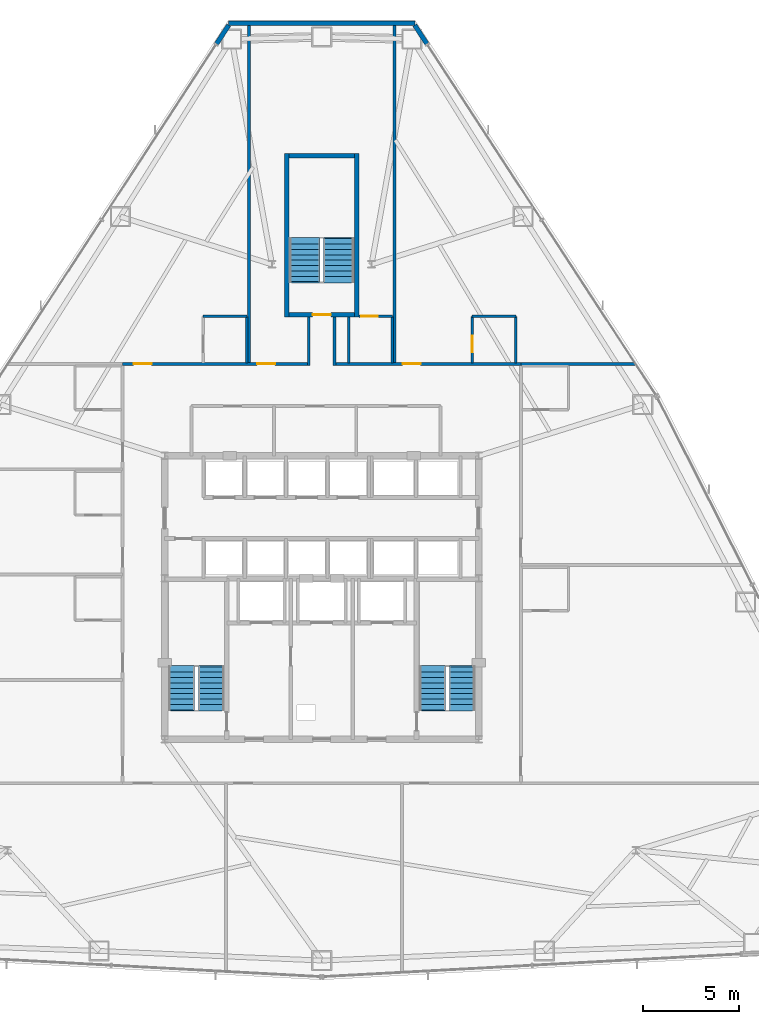
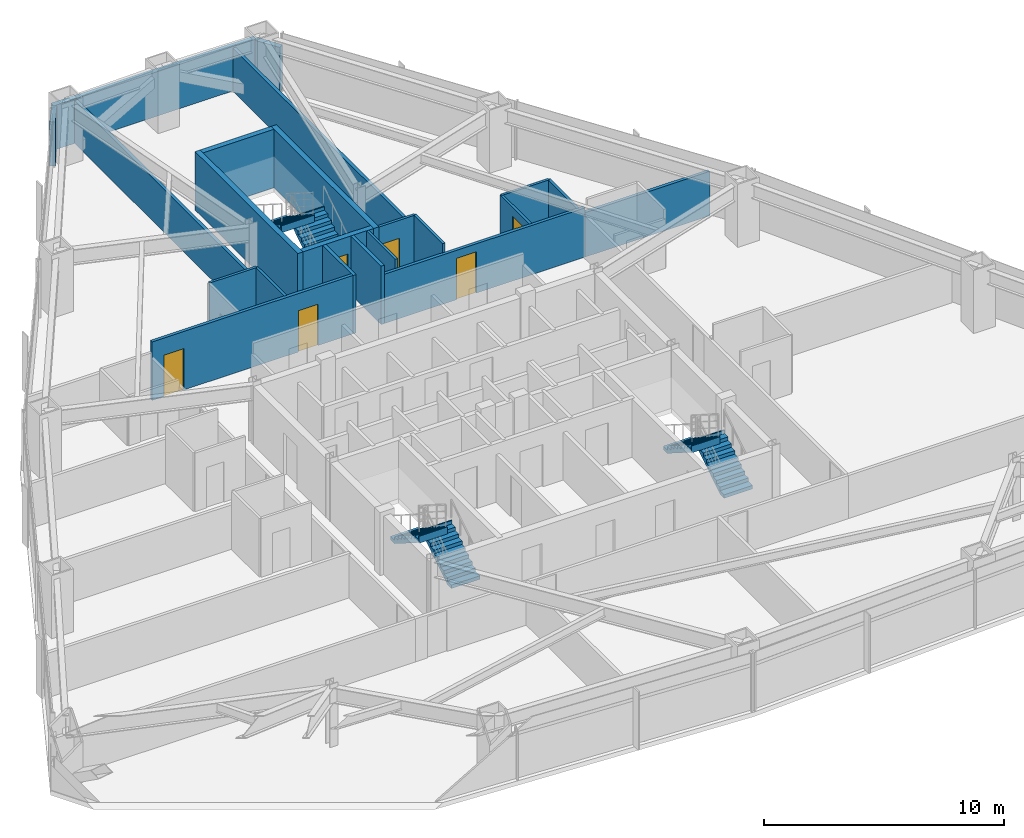
# One storey, part 11 of 12: 22 walls, 6 doors, 6 stair flights, 6 openings, 3 elements without a shape of their own.
"""IFC4 building model written with IfcOpenShell, lengths in metres."""

from ifc_helpers import new_model, si_unit, direction, frame, frame_2d, origin, place, context, subcontext, project, spatial, polyline, rectangle, outline, extrude, material, layer, layer_set, type_object, element, fill, aggregate, save


model = new_model("IFC4")

# Units and contexts
model_context = context("Model", 3, precision=1e-05, world=origin(), true_north=direction((0.0, 1.0)))
body_context = subcontext(model_context, "Body", "Model", "MODEL_VIEW")
ifc_project = project(units=[si_unit("LENGTHUNIT", "METRE"), si_unit("AREAUNIT", "SQUARE_METRE"), si_unit("VOLUMEUNIT", "CUBIC_METRE"), si_unit("PLANEANGLEUNIT", "RADIAN"), si_unit("MASSUNIT", "GRAM", prefix="KILO")], contexts=[model_context])

# Site, building, storey
site_placement = place(None, origin())
site = spatial("IfcSite", under=ifc_project, at=site_placement, CompositionType="ELEMENT")
building_placement = place(site_placement, origin())
building = spatial("IfcBuilding", under=site, at=building_placement, Name="Varakhsha Concourse Tower", CompositionType="ELEMENT")
storey_placement = place(building_placement, frame((0.0, 0.0, 79.800048828125)))
storey = spatial("IfcBuildingStorey", under=building, at=storey_placement, Name="L22", CompositionType="ELEMENT", Elevation=79.800048828125)

# Walls
ifc_material_1 = material(Name="Concrete fc 45 MPa", Category="concrete")
ifc_layer_1 = layer(ifc_material_1, 0.239990234375, Name="WL-EXT-CRN-240")
ifc_layer_set_1 = layer_set([ifc_layer_1], Name="Concrete fc 45 MPa")
wall_type_1 = type_object("IfcWallType", Name="WL-EXT-CRN-240", PredefinedType="SHEAR", material=ifc_layer_set_1)
wall_1_placement = place(storey_placement, frame((35.12841796875, 53.802490234375, 0.0), z_axis=(0.0, 0.0, 1.0), x_axis=(1.0, 0.0, 0.0)))
element("IfcWall", 1, at=wall_1_placement, inside=storey, type_object=wall_type_1, Name="L22 Chamfer Wind-Corner Insulated Wall F1", PredefinedType="SHEAR", context=body_context, shape_type="SweptSolid", body=[
    extrude(rectangle(XDim=9.7431640625, YDim=0.239990234375, at=frame_2d((4.87158203125, 0.0))), origin(), (0.0, 0.0, 1.0), 2.2529296875),
])
for number, where, z_axis, x_axis, name in (
    (2, (35.142333984375, 53.690673828125, 0.0), (0.0, 0.0, 1.0), (-0.546287000619, -0.837598061695, 0.0), "L22 Wind-Corner Shoulder Wall F2"),
    (3, (45.49267578125, 52.717041015625, 0.0), (0.0, 0.0, 1.0), (-0.546287000619, 0.837598061695, 0.0), "L22 Wind-Corner Shoulder Wall F9"),
):
    element("IfcWall", number, at=place(storey_placement, frame(where, z_axis=z_axis, x_axis=x_axis)), inside=storey, type_object=wall_type_1, Name=name, PredefinedType="SHEAR", context=body_context, shape_type="SweptSolid", body=[
        extrude(rectangle(XDim=1.162353515625, YDim=0.239990234375, at=frame_2d((0.5810546875, 0.0))), origin(), (0.0, 0.0, 1.0), 2.2529296875),
    ])
ifc_material_2 = material(Name="Acoustic Gypsum Board Partition Assembly", Category="gypsum")
ifc_layer_2 = layer(ifc_material_2, 0.1201171875, Name="WL-PART-120")
ifc_layer_set_2 = layer_set([ifc_layer_2], Name="Acoustic Gypsum Board Partition Assembly")
wall_type_2 = type_object("IfcWallType", Name="WL-PART-120", PredefinedType="PARTITIONING", material=ifc_layer_set_2)
wall_2_placement = place(storey_placement, frame((36.090087890625, 36.06005859375, 0.0), z_axis=(0.0, 0.0, 1.0), x_axis=(0.0, 1.0, 0.0)))
element("IfcWall", 4, at=wall_2_placement, inside=storey, type_object=wall_type_2, Name="L22 Wall ENSW-E-L22-H10", PredefinedType="PARTITIONING", context=body_context, shape_type="SweptSolid", body=[
    extrude(rectangle(XDim=2.429931640625, YDim=0.1201171875, at=frame_2d((1.21484375, 0.0))), origin(), (0.0, 0.0, 1.0), 2.969970703125),
])
wall_3_placement = place(storey_placement, frame((33.81005859375, 38.489990234375, 0.0), z_axis=(0.0, 0.0, 1.0), x_axis=(1.0, 0.0, 0.0)))
element("IfcWall", 5, at=wall_3_placement, inside=storey, type_object=wall_type_2, Name="L22 Wall ENSW-N-L22-H10", PredefinedType="PARTITIONING", context=body_context, shape_type="SweptSolid", body=[
    extrude(rectangle(XDim=2.280029296875, YDim=0.1201171875, at=frame_2d((1.14013671875, 0.0))), origin(), (0.0, 0.0, 1.0), 2.969970703125),
])
wall_4_placement = place(storey_placement, frame((41.409912109375, 36.06005859375, 0.0), z_axis=(0.0, 0.0, 1.0), x_axis=(0.0, 1.0, 0.0)))
element("IfcWall", 6, at=wall_4_placement, inside=storey, type_object=wall_type_2, Name="L22 Wall ENSW-W-L22-H11", PredefinedType="PARTITIONING", context=body_context, shape_type="SweptSolid", body=[
    extrude(rectangle(XDim=2.389892578125, YDim=0.1201171875, at=frame_2d((1.19482421875, 0.0))), origin(), (0.0, 0.0, 1.0), 2.969970703125),
])
wall_5_placement = place(storey_placement, frame((43.68994140625, 36.06005859375, 0.0), z_axis=(0.0, 0.0, 1.0), x_axis=(0.0, 1.0, 0.0)))
element("IfcWall", 7, at=wall_5_placement, inside=storey, type_object=wall_type_2, Name="L22 Wall ENSW-E-L22-H11", PredefinedType="PARTITIONING", context=body_context, shape_type="SweptSolid", body=[
    extrude(rectangle(XDim=2.429931640625, YDim=0.1201171875, at=frame_2d((1.21484375, 0.0))), origin(), (0.0, 0.0, 1.0), 2.969970703125),
])

# Wall, opening, door
wall_6_placement = place(storey_placement, frame((41.949951171875, 38.489990234375, 0.0), z_axis=(0.0, 0.0, 1.0), x_axis=(1.0, 0.0, 0.0)))
wall_6 = element("IfcWall", 8, at=wall_6_placement, inside=storey, type_object=wall_type_2, Name="L22 Wall ENSW-N-L22-H11", PredefinedType="PARTITIONING", context=body_context, shape_type="SweptSolid", body=[
    extrude(rectangle(XDim=1.739990234375, YDim=0.1201171875, at=frame_2d((0.8701171875, 0.0))), origin(), (0.0, 0.0, 1.0), 2.969970703125),
])
opening_1_placement = place(wall_6_placement, frame((0.1201171875, 0.0, 0.0)))
opening_1 = element("IfcOpeningElement", 9, at=opening_1_placement, cuts=wall_6, Name="Opening DI-01", PredefinedType="OPENING", context=body_context, shape_type="SweptSolid", body=[
    extrude(rectangle(XDim=0.85009765625, YDim=2.050048828125, at=frame_2d((0.425048828125, 1.02490234375))), frame((0.0, 0.070068359375, 0.0), z_axis=(0.0, -1.0, 0.0), x_axis=(1.0, 0.0, 0.0)), (0.0, 0.0, 1.0), 0.14013671875),
])
ifc_material_3 = material(Name="Architectural Walnut Acoustic Timber Door", Category="wood")
door_type_1 = type_object("IfcDoorType", Name="DR-INT-850", OperationType="NOTDEFINED", PredefinedType="DOOR", material=ifc_material_3)
door_1_placement = place(opening_1_placement, origin())
door_1 = element("IfcDoor", 10, at=door_1_placement, inside=storey, type_object=door_type_1, Name="L22 En-suite Bathroom Door L22-H11", OperationType="SINGLE_SWING_RIGHT", OverallHeight=2.050048828125, OverallWidth=0.85009765625, PredefinedType="DOOR", context=body_context, shape_type="SweptSolid", body=[
    extrude(rectangle(XDim=0.85009765625, YDim=2.050048828125, at=frame_2d((0.425048828125, 1.02490234375))), frame((0.0, 0.02490234375, 0.0), z_axis=(0.0, -1.0, 0.0), x_axis=(1.0, 0.0, 0.0)), (0.0, 0.0, 1.0), 0.050048828125),
])
fill(opening_1, door_1)

wall_7_placement = place(storey_placement, frame((47.860107421875, 36.06005859375, 0.0), z_axis=(0.0, 0.0, 1.0), x_axis=(0.0, 1.0, 0.0)))
wall_7 = element("IfcWall", 11, at=wall_7_placement, inside=storey, type_object=wall_type_2, Name="L22 Wall ENSW-W-L22-H12", PredefinedType="PARTITIONING", context=body_context, shape_type="SweptSolid", body=[
    extrude(rectangle(XDim=2.429931640625, YDim=0.1201171875, at=frame_2d((1.21484375, 0.0))), origin(), (0.0, 0.0, 1.0), 2.5029296875),
])
opening_2_placement = place(wall_7_placement, frame((0.550048828125, 0.0, 0.0)))
opening_2 = element("IfcOpeningElement", 12, at=opening_2_placement, cuts=wall_7, Name="Opening DI-01", PredefinedType="OPENING", context=body_context, shape_type="SweptSolid", body=[
    extrude(rectangle(XDim=0.85009765625, YDim=2.050048828125, at=frame_2d((0.425048828125, 1.02490234375))), frame((0.0, 0.070068359375, 0.0), z_axis=(0.0, -1.0, 0.0), x_axis=(1.0, 0.0, 0.0)), (0.0, 0.0, 1.0), 0.14013671875),
])
door_2_placement = place(opening_2_placement, origin())
door_2 = element("IfcDoor", 13, at=door_2_placement, inside=storey, type_object=door_type_1, Name="L22 En-suite Bathroom Door L22-H12", OperationType="SINGLE_SWING_RIGHT", OverallHeight=2.050048828125, OverallWidth=0.85009765625, PredefinedType="DOOR", context=body_context, shape_type="SweptSolid", body=[
    extrude(rectangle(XDim=0.85009765625, YDim=2.050048828125, at=frame_2d((0.425048828125, 1.02490234375))), frame((0.0, 0.02490234375, 0.0), z_axis=(0.0, -1.0, 0.0), x_axis=(1.0, 0.0, 0.0)), (0.0, 0.0, 1.0), 0.050048828125),
])
fill(opening_2, door_2)

# Walls
wall_8_placement = place(storey_placement, frame((50.139892578125, 36.06005859375, 0.0), z_axis=(0.0, 0.0, 1.0), x_axis=(0.0, 1.0, 0.0)))
element("IfcWall", 14, at=wall_8_placement, inside=storey, type_object=wall_type_2, Name="L22 Wall ENSW-E-L22-H12", PredefinedType="PARTITIONING", context=body_context, shape_type="SweptSolid", body=[
    extrude(rectangle(XDim=2.429931640625, YDim=0.1201171875, at=frame_2d((1.21484375, 0.0))), origin(), (0.0, 0.0, 1.0), 2.5029296875),
])
wall_9_placement = place(storey_placement, frame((47.860107421875, 38.489990234375, 0.0), z_axis=(0.0, 0.0, 1.0), x_axis=(1.0, 0.0, 0.0)))
element("IfcWall", 15, at=wall_9_placement, inside=storey, type_object=wall_type_2, Name="L22 Wall ENSW-N-L22-H12", PredefinedType="PARTITIONING", context=body_context, shape_type="SweptSolid", body=[
    extrude(rectangle(XDim=2.27978515625, YDim=0.1201171875, at=frame_2d((1.139892578125, 0.0))), origin(), (0.0, 0.0, 1.0), 2.5029296875),
])

# Wall, openings, doors
ifc_material_4 = material(Name="Fire-Rated Type X Gypsum Partition Assembly", Category="gypsum")
ifc_layer_3 = layer(ifc_material_4, 0.14990234375, Name="WL-PART-150")
ifc_layer_set_3 = layer_set([ifc_layer_3], Name="Fire-Rated Type X Gypsum Partition Assembly")
wall_type_3 = type_object("IfcWallType", Name="WL-PART-150", PredefinedType="PARTITIONING", material=ifc_layer_set_3)
wall_10_placement = place(storey_placement, frame((29.60009765625, 36.0, 0.0), z_axis=(0.0, 0.0, 1.0), x_axis=(1.0, 0.0, 0.0)))
wall_10 = element("IfcWall", 16, at=wall_10_placement, inside=storey, type_object=wall_type_3, Name="L22 Wall CRW-N-L22", PredefinedType="PARTITIONING", context=body_context, shape_type="SweptSolid", body=[
    extrude(rectangle(XDim=9.64990234375, YDim=0.14990234375, at=frame_2d((4.824951171875, 0.0))), origin(), (0.0, 0.0, 1.0), 2.969970703125),
])
opening_3_placement = place(wall_10_placement, frame((0.570068359375, 0.0, 0.0)))
opening_3 = element("IfcOpeningElement", 17, at=opening_3_placement, cuts=wall_10, Name="Opening DF-05", PredefinedType="OPENING", context=body_context, shape_type="SweptSolid", body=[
    extrude(rectangle(XDim=0.949951171875, YDim=2.10009765625, at=frame_2d((0.47509765625, 1.050048828125))), frame((0.0, 0.0849609375, 0.0), z_axis=(0.0, -1.0, 0.0), x_axis=(1.0, 0.0, 0.0)), (0.0, 0.0, 1.0), 0.169921875),
])
opening_4_placement = place(wall_10_placement, frame((7.02001953125, 0.0, 0.0)))
opening_4 = element("IfcOpeningElement", 18, at=opening_4_placement, cuts=wall_10, Name="Opening DF-05", PredefinedType="OPENING", context=body_context, shape_type="SweptSolid", body=[
    extrude(rectangle(XDim=0.949951171875, YDim=2.10009765625, at=frame_2d((0.47509765625, 1.050048828125))), frame((0.0, 0.0849609375, 0.0), z_axis=(0.0, -1.0, 0.0), x_axis=(1.0, 0.0, 0.0)), (0.0, 0.0, 1.0), 0.169921875),
])
ifc_material_5 = material(Name="Hollow Galvanised Steel Fire Door Assembly", Category="steel")
door_type_2 = type_object("IfcDoorType", Name="DR-FD60-950", OperationType="NOTDEFINED", PredefinedType="DOOR", material=ifc_material_5)
door_3_placement = place(opening_3_placement, origin())
door_3 = element("IfcDoor", 19, at=door_3_placement, inside=storey, type_object=door_type_2, Name="L22 Hotel Corner Suite L22-H10 Entry Door", OperationType="SINGLE_SWING_RIGHT", OverallHeight=2.10009765625, OverallWidth=0.949951171875, PredefinedType="DOOR", context=body_context, shape_type="SweptSolid", body=[
    extrude(rectangle(XDim=0.949951171875, YDim=2.10009765625, at=frame_2d((0.47509765625, 1.050048828125))), frame((0.0, 0.02490234375, 0.0), z_axis=(0.0, -1.0, 0.0), x_axis=(1.0, 0.0, 0.0)), (0.0, 0.0, 1.0), 0.050048828125),
])
fill(opening_3, door_3)
door_4_placement = place(opening_4_placement, origin())
door_4 = element("IfcDoor", 20, at=door_4_placement, inside=storey, type_object=door_type_2, Name="L22 Hotel Corner Suite L22-H11 Entry Door", OperationType="SINGLE_SWING_LEFT", OverallHeight=2.10009765625, OverallWidth=0.949951171875, PredefinedType="DOOR", context=body_context, shape_type="SweptSolid", body=[
    extrude(rectangle(XDim=0.949951171875, YDim=2.10009765625, at=frame_2d((0.47509765625, 1.050048828125))), frame((0.0, 0.02490234375, 0.0), z_axis=(0.0, -1.0, 0.0), x_axis=(1.0, 0.0, 0.0)), (0.0, 0.0, 1.0), 0.050048828125),
])
fill(opening_4, door_4)

# Wall, opening, door
wall_11_placement = place(storey_placement, frame((40.75, 36.0, 0.0), z_axis=(0.0, 0.0, 1.0), x_axis=(1.0, 0.0, 0.0)))
wall_11 = element("IfcWall", 21, at=wall_11_placement, inside=storey, type_object=wall_type_3, Name="L22 Wall CRW-N-L22-B", PredefinedType="PARTITIONING", context=body_context, shape_type="SweptSolid", body=[
    extrude(rectangle(XDim=9.64990234375, YDim=0.14990234375, at=frame_2d((4.824951171875, 0.0))), origin(), (0.0, 0.0, 1.0), 2.5029296875),
])
opening_5_placement = place(wall_11_placement, frame((3.469970703125, 0.0, 0.0)))
opening_5 = element("IfcOpeningElement", 22, at=opening_5_placement, cuts=wall_11, Name="Opening DF-05", PredefinedType="OPENING", context=body_context, shape_type="SweptSolid", body=[
    extrude(rectangle(XDim=0.949951171875, YDim=2.10009765625, at=frame_2d((0.47509765625, 1.050048828125))), frame((0.0, 0.0849609375, 0.0), z_axis=(0.0, -1.0, 0.0), x_axis=(1.0, 0.0, 0.0)), (0.0, 0.0, 1.0), 0.169921875),
])
door_5_placement = place(opening_5_placement, origin())
door_5 = element("IfcDoor", 23, at=door_5_placement, inside=storey, type_object=door_type_2, Name="L22 Hotel Corner Suite L22-H12 Entry Door", OperationType="SINGLE_SWING_RIGHT", OverallHeight=2.10009765625, OverallWidth=0.949951171875, PredefinedType="DOOR", context=body_context, shape_type="SweptSolid", body=[
    extrude(rectangle(XDim=0.949951171875, YDim=2.10009765625, at=frame_2d((0.47509765625, 1.050048828125))), frame((0.0, 0.02490234375, 0.0), z_axis=(0.0, -1.0, 0.0), x_axis=(1.0, 0.0, 0.0)), (0.0, 0.0, 1.0), 0.050048828125),
])
fill(opening_5, door_5)

# Walls
wall_12_placement = place(storey_placement, frame((50.39990234375, 36.0, 0.0), z_axis=(0.0, 0.0, 1.0), x_axis=(1.0, 0.0, 0.0)))
element("IfcWall", 24, at=wall_12_placement, inside=storey, type_object=wall_type_3, Name="L22 Wall HDIV-EBN-L22", PredefinedType="PARTITIONING", context=body_context, shape_type="SweptSolid", body=[
    extrude(rectangle(XDim=5.98876953125, YDim=0.14990234375, at=frame_2d((2.994384765625, 0.0))), origin(), (0.0, 0.0, 1.0), 2.258056640625),
])
for number, where, z_axis, x_axis, name in (
    (25, (36.199951171875, 36.0, 0.0), (0.0, 0.0, 1.0), (0.0, 1.0, 0.0), "L22 Wall HDIV-N1-L22"),
    (26, (43.800048828125, 36.0, 0.0), (0.0, 0.0, 1.0), (0.0, 1.0, 0.0), "L22 Wall HDIV-N2-L22"),
):
    element("IfcWall", number, at=place(storey_placement, frame(where, z_axis=z_axis, x_axis=x_axis)), inside=storey, type_object=wall_type_3, Name=name, PredefinedType="PARTITIONING", context=body_context, shape_type="SweptSolid", body=[
        extrude(rectangle(XDim=17.79736328125, YDim=0.14990234375, at=frame_2d((8.898681640625, 0.0))), origin(), (0.0, 0.0, 1.0), 2.180908203125),
    ])
for number, where, z_axis, x_axis, name in (
    (27, (39.324951171875, 35.925048828125, 0.0), (0.0, 0.0, 1.0), (0.0, 1.0, 0.0), "L22 Wall STUB-W-L22"),
    (28, (40.675048828125, 35.925048828125, 0.0), (0.0, 0.0, 1.0), (0.0, 1.0, 0.0), "L22 Wall STUB-E-L22"),
):
    element("IfcWall", number, at=place(storey_placement, frame(where, z_axis=z_axis, x_axis=x_axis)), inside=storey, type_object=wall_type_3, Name=name, PredefinedType="PARTITIONING", context=body_context, shape_type="SweptSolid", body=[
        extrude(rectangle(XDim=2.52490234375, YDim=0.14990234375, at=frame_2d((1.262451171875, 0.0))), origin(), (0.0, 0.0, 1.0), 2.969970703125),
    ])
ifc_layer_4 = layer(ifc_material_1, 0.25, Name="WL-STAIR-250")
ifc_layer_set_4 = layer_set([ifc_layer_4], Name="Concrete fc 45 MPa")
wall_type_4 = type_object("IfcWallType", Name="WL-STAIR-250", PredefinedType="SHEAR", material=ifc_layer_set_4)
for number, where, z_axis, x_axis, name in (
    (29, (38.175048828125, 38.449951171875, 0.0), (0.0, 0.0, 1.0), (0.0, 1.0, 0.0), "L22 Wall SWALL-ST5-W-L22"),
    (30, (41.824951171875, 38.449951171875, 0.0), (0.0, 0.0, 1.0), (0.0, 1.0, 0.0), "L22 Wall SWALL-ST5-E-L22"),
):
    element("IfcWall", number, at=place(storey_placement, frame(where, z_axis=z_axis, x_axis=x_axis)), inside=storey, type_object=wall_type_4, Name=name, PredefinedType="SHEAR", context=body_context, shape_type="SweptSolid", body=[
        extrude(rectangle(XDim=8.550048828125, YDim=0.25, at=frame_2d((4.27490234375, 0.0))), origin(), (0.0, 0.0, 1.0), 2.969970703125),
    ])

# Wall, opening, door
wall_13_placement = place(storey_placement, frame((38.300048828125, 38.574951171875, 0.0), z_axis=(0.0, 0.0, 1.0), x_axis=(1.0, 0.0, 0.0)))
wall_13 = element("IfcWall", 31, at=wall_13_placement, inside=storey, type_object=wall_type_4, Name="L22 Wall SWALL-ST5-S-L22", PredefinedType="SHEAR", context=body_context, shape_type="SweptSolid", body=[
    extrude(rectangle(XDim=3.39990234375, YDim=0.25, at=frame_2d((1.699951171875, 0.0))), origin(), (0.0, 0.0, 1.0), 2.969970703125),
])
opening_6_placement = place(wall_13_placement, frame((1.22509765625, 0.0, 0.0)))
opening_6 = element("IfcOpeningElement", 32, at=opening_6_placement, cuts=wall_13, Name="Opening DF-03", PredefinedType="OPENING", context=body_context, shape_type="SweptSolid", body=[
    extrude(rectangle(XDim=0.949951171875, YDim=2.10009765625, at=frame_2d((0.47509765625, 1.050048828125))), frame((0.0, 0.135009765625, 0.0), z_axis=(0.0, -1.0, 0.0), x_axis=(1.0, 0.0, 0.0)), (0.0, 0.0, 1.0), 0.27001953125),
])
door_type_3 = type_object("IfcDoorType", Name="DR-FD90-950", OperationType="NOTDEFINED", PredefinedType="DOOR", material=ifc_material_5)
door_6_placement = place(opening_6_placement, origin())
door_6 = element("IfcDoor", 33, at=door_6_placement, inside=storey, type_object=door_type_3, Name="L22 Stair ST5 Fire Door", OperationType="SINGLE_SWING_RIGHT", OverallHeight=2.10009765625, OverallWidth=0.949951171875, PredefinedType="DOOR", context=body_context, shape_type="SweptSolid", body=[
    extrude(rectangle(XDim=0.949951171875, YDim=2.10009765625, at=frame_2d((0.47509765625, 1.050048828125))), frame((0.0, 0.02490234375, 0.0), z_axis=(0.0, -1.0, 0.0), x_axis=(1.0, 0.0, 0.0)), (0.0, 0.0, 1.0), 0.050048828125),
])
fill(opening_6, door_6)

# Wall
wall_14_placement = place(storey_placement, frame((38.300048828125, 46.875, 0.0), z_axis=(0.0, 0.0, 1.0), x_axis=(1.0, 0.0, 0.0)))
element("IfcWall", 34, at=wall_14_placement, inside=storey, type_object=wall_type_4, Name="L22 Wall SWALL-ST5-N-L22", PredefinedType="SHEAR", context=body_context, shape_type="SweptSolid", body=[
    extrude(rectangle(XDim=3.39990234375, YDim=0.25, at=frame_2d((1.699951171875, 0.0))), origin(), (0.0, 0.0, 1.0), 2.969970703125),
])

# Stair, stair flights
stair_type_1 = type_object("IfcStairType", Name="ST-DOGLEG-1360", PredefinedType="HALF_TURN_STAIR", material=ifc_material_1)
stair_1_placement = place(storey_placement, origin())
stair_1 = element("IfcStair", 35, at=stair_1_placement, inside=storey, type_object=stair_type_1, Name="L22 Protected Exit Stair ST1", PredefinedType="HALF_TURN_STAIR")
stair_flight_type_1 = type_object("IfcStairFlightType", Name="STF-1360-R1778", PredefinedType="STRAIGHT", material=ifc_material_1)
stair_flight_1_placement = place(storey_placement, frame((34.239990234375, 17.93994140625, 0.0), z_axis=(0.0, 0.0, 1.0), x_axis=(0.0, 1.0, 0.0)))
stair_flight_1 = element("IfcStairFlight", 36, at=stair_flight_1_placement, type_object=stair_flight_type_1, Name="ST1 flight 1", NumberOfRisers=9, NumberOfTreads=8, PredefinedType="STRAIGHT", RiserHeight=0.177777778, TreadLength=0.28, context=body_context, shape_type="SweptSolid", body=[
    extrude(outline(polyline([(-0.06005859375, 0.0), (-0.06005859375, 0.177734375), (0.0, 0.177734375), (0.280029296875, 0.177734375), (0.280029296875, 0.35546875), (0.56005859375, 0.35546875), (0.56005859375, 0.533447265625), (0.840087890625, 0.533447265625), (0.840087890625, 0.711181640625), (1.1201171875, 0.711181640625), (1.1201171875, 0.888916015625), (1.39990234375, 0.888916015625), (1.39990234375, 1.066650390625), (1.679931640625, 1.066650390625), (1.679931640625, 1.244384765625), (1.9599609375, 1.244384765625), (1.9599609375, 1.422119140625), (2.239990234375, 1.422119140625), (2.239990234375, 1.60009765625), (2.300048828125, 1.60009765625), (2.300048828125, 1.24462890625), (2.239990234375, 1.24462890625), (0.27978515625, 0.0), (-0.06005859375, 0.0)])), frame((0.0, 0.68017578125, 0.0), z_axis=(0.0, -1.0, 0.0), x_axis=(1.0, 0.0, 0.0)), (0.0, 0.0, 1.0), 1.360107421875),
])
stair_flight_2_placement = place(storey_placement, frame((32.679931640625, 20.179931640625, 1.599853515625), z_axis=(0.0, 0.0, 1.0), x_axis=(0.0, -1.0, 0.0)))
stair_flight_2 = element("IfcStairFlight", 37, at=stair_flight_2_placement, type_object=stair_flight_type_1, Name="ST1 flight 2", NumberOfRisers=9, NumberOfTreads=8, PredefinedType="STRAIGHT", RiserHeight=0.177777778, TreadLength=0.28, context=body_context, shape_type="SweptSolid", body=[
    extrude(outline(polyline([(-0.06005859375, 0.0), (-0.06005859375, 0.177734375), (0.0, 0.177734375), (0.280029296875, 0.177734375), (0.280029296875, 0.35546875), (0.56005859375, 0.35546875), (0.56005859375, 0.533447265625), (0.840087890625, 0.533447265625), (0.840087890625, 0.711181640625), (1.1201171875, 0.711181640625), (1.1201171875, 0.888916015625), (1.39990234375, 0.888916015625), (1.39990234375, 1.066650390625), (1.679931640625, 1.066650390625), (1.679931640625, 1.244384765625), (1.9599609375, 1.244384765625), (1.9599609375, 1.422119140625), (2.239990234375, 1.422119140625), (2.239990234375, 1.60009765625), (2.300048828125, 1.60009765625), (2.300048828125, 1.24462890625), (2.239990234375, 1.24462890625), (0.27978515625, 0.0), (-0.06005859375, 0.0)])), frame((0.0, 0.68017578125, 0.0), z_axis=(0.0, -1.0, 0.0), x_axis=(1.0, 0.0, 0.0)), (0.0, 0.0, 1.0), 1.360107421875),
])
aggregate(stair_1, [stair_flight_1, stair_flight_2])

stair_2_placement = place(storey_placement, origin())
stair_2 = element("IfcStair", 38, at=stair_2_placement, inside=storey, type_object=stair_type_1, Name="L22 Protected Exit Stair ST2", PredefinedType="HALF_TURN_STAIR")
stair_flight_3_placement = place(storey_placement, frame((47.340087890625, 17.93994140625, 0.0), z_axis=(0.0, 0.0, 1.0), x_axis=(0.0, 1.0, 0.0)))
stair_flight_3 = element("IfcStairFlight", 39, at=stair_flight_3_placement, type_object=stair_flight_type_1, Name="ST2 flight 1", NumberOfRisers=9, NumberOfTreads=8, PredefinedType="STRAIGHT", RiserHeight=0.177777778, TreadLength=0.28, context=body_context, shape_type="SweptSolid", body=[
    extrude(outline(polyline([(-0.06005859375, 0.0), (-0.06005859375, 0.177734375), (0.0, 0.177734375), (0.280029296875, 0.177734375), (0.280029296875, 0.35546875), (0.56005859375, 0.35546875), (0.56005859375, 0.533447265625), (0.840087890625, 0.533447265625), (0.840087890625, 0.711181640625), (1.1201171875, 0.711181640625), (1.1201171875, 0.888916015625), (1.39990234375, 0.888916015625), (1.39990234375, 1.066650390625), (1.679931640625, 1.066650390625), (1.679931640625, 1.244384765625), (1.9599609375, 1.244384765625), (1.9599609375, 1.422119140625), (2.239990234375, 1.422119140625), (2.239990234375, 1.60009765625), (2.300048828125, 1.60009765625), (2.300048828125, 1.24462890625), (2.239990234375, 1.24462890625), (0.27978515625, 0.0), (-0.06005859375, 0.0)])), frame((0.0, 0.68017578125, 0.0), z_axis=(0.0, -1.0, 0.0), x_axis=(1.0, 0.0, 0.0)), (0.0, 0.0, 1.0), 1.360107421875),
])
stair_flight_4_placement = place(storey_placement, frame((45.780029296875, 20.179931640625, 1.599853515625), z_axis=(0.0, 0.0, 1.0), x_axis=(0.0, -1.0, 0.0)))
stair_flight_4 = element("IfcStairFlight", 40, at=stair_flight_4_placement, type_object=stair_flight_type_1, Name="ST2 flight 2", NumberOfRisers=9, NumberOfTreads=8, PredefinedType="STRAIGHT", RiserHeight=0.177777778, TreadLength=0.28, context=body_context, shape_type="SweptSolid", body=[
    extrude(outline(polyline([(-0.06005859375, 0.0), (-0.06005859375, 0.177734375), (0.0, 0.177734375), (0.280029296875, 0.177734375), (0.280029296875, 0.35546875), (0.56005859375, 0.35546875), (0.56005859375, 0.533447265625), (0.840087890625, 0.533447265625), (0.840087890625, 0.711181640625), (1.1201171875, 0.711181640625), (1.1201171875, 0.888916015625), (1.39990234375, 0.888916015625), (1.39990234375, 1.066650390625), (1.679931640625, 1.066650390625), (1.679931640625, 1.244384765625), (1.9599609375, 1.244384765625), (1.9599609375, 1.422119140625), (2.239990234375, 1.422119140625), (2.239990234375, 1.60009765625), (2.300048828125, 1.60009765625), (2.300048828125, 1.24462890625), (2.239990234375, 1.24462890625), (0.27978515625, 0.0), (-0.06005859375, 0.0)])), frame((0.0, 0.68017578125, 0.0), z_axis=(0.0, -1.0, 0.0), x_axis=(1.0, 0.0, 0.0)), (0.0, 0.0, 1.0), 1.360107421875),
])
aggregate(stair_2, [stair_flight_3, stair_flight_4])

stair_type_2 = type_object("IfcStairType", Name="ST-DOGLEG-1600", PredefinedType="HALF_TURN_STAIR", material=ifc_material_1)
stair_3_placement = place(storey_placement, origin())
stair_3 = element("IfcStair", 41, at=stair_3_placement, inside=storey, type_object=stair_type_2, Name="L22 Protected Exit Stair ST5", PredefinedType="HALF_TURN_STAIR")
stair_flight_type_2 = type_object("IfcStairFlightType", Name="STF-1600-R1778", PredefinedType="STRAIGHT", material=ifc_material_1)
stair_flight_5_placement = place(storey_placement, frame((40.89990234375, 40.300048828125, 0.0), z_axis=(0.0, 0.0, 1.0), x_axis=(0.0, 1.0, 0.0)))
stair_flight_5 = element("IfcStairFlight", 42, at=stair_flight_5_placement, type_object=stair_flight_type_2, Name="ST5 flight 1", NumberOfRisers=9, NumberOfTreads=8, PredefinedType="STRAIGHT", RiserHeight=0.177777778, TreadLength=0.28, context=body_context, shape_type="SweptSolid", body=[
    extrude(outline(polyline([(-0.06005859375, 0.0), (-0.06005859375, 0.177734375), (0.0, 0.177734375), (0.280029296875, 0.177734375), (0.280029296875, 0.35546875), (0.56005859375, 0.35546875), (0.56005859375, 0.533447265625), (0.840087890625, 0.533447265625), (0.840087890625, 0.711181640625), (1.1201171875, 0.711181640625), (1.1201171875, 0.888916015625), (1.39990234375, 0.888916015625), (1.39990234375, 1.066650390625), (1.679931640625, 1.066650390625), (1.679931640625, 1.244384765625), (1.9599609375, 1.244384765625), (1.9599609375, 1.422119140625), (2.239990234375, 1.422119140625), (2.239990234375, 1.60009765625), (2.300048828125, 1.60009765625), (2.300048828125, 1.24462890625), (2.239990234375, 1.24462890625), (0.27978515625, 0.0), (-0.06005859375, 0.0)])), frame((0.0, 0.800048828125, 0.0), z_axis=(0.0, -1.0, 0.0), x_axis=(1.0, 0.0, 0.0)), (0.0, 0.0, 1.0), 1.60009765625),
])
stair_flight_6_placement = place(storey_placement, frame((39.10009765625, 42.5400390625, 1.599853515625), z_axis=(0.0, 0.0, 1.0), x_axis=(0.0, -1.0, 0.0)))
stair_flight_6 = element("IfcStairFlight", 43, at=stair_flight_6_placement, type_object=stair_flight_type_2, Name="ST5 flight 2", NumberOfRisers=9, NumberOfTreads=8, PredefinedType="STRAIGHT", RiserHeight=0.177777778, TreadLength=0.28, context=body_context, shape_type="SweptSolid", body=[
    extrude(outline(polyline([(-0.06005859375, 0.0), (-0.06005859375, 0.177734375), (0.0, 0.177734375), (0.280029296875, 0.177734375), (0.280029296875, 0.35546875), (0.56005859375, 0.35546875), (0.56005859375, 0.533447265625), (0.840087890625, 0.533447265625), (0.840087890625, 0.711181640625), (1.1201171875, 0.711181640625), (1.1201171875, 0.888916015625), (1.39990234375, 0.888916015625), (1.39990234375, 1.066650390625), (1.679931640625, 1.066650390625), (1.679931640625, 1.244384765625), (1.9599609375, 1.244384765625), (1.9599609375, 1.422119140625), (2.239990234375, 1.422119140625), (2.239990234375, 1.60009765625), (2.300048828125, 1.60009765625), (2.300048828125, 1.24462890625), (2.239990234375, 1.24462890625), (0.27978515625, 0.0), (-0.06005859375, 0.0)])), frame((0.0, 0.800048828125, 0.0), z_axis=(0.0, -1.0, 0.0), x_axis=(1.0, 0.0, 0.0)), (0.0, 0.0, 1.0), 1.60009765625),
])
aggregate(stair_3, [stair_flight_5, stair_flight_6])

save(model, "model.ifc")
